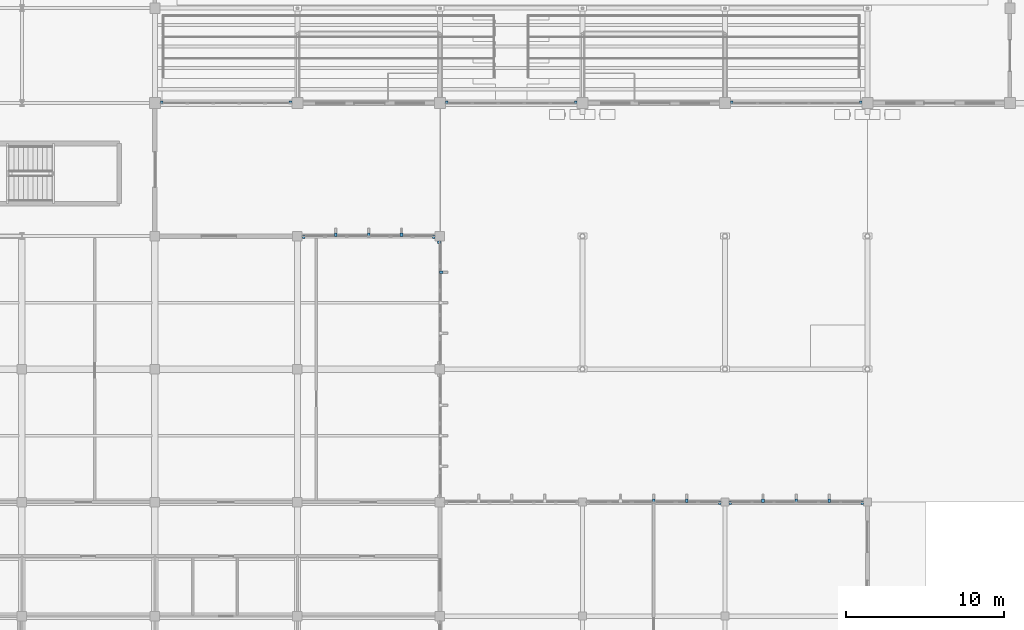
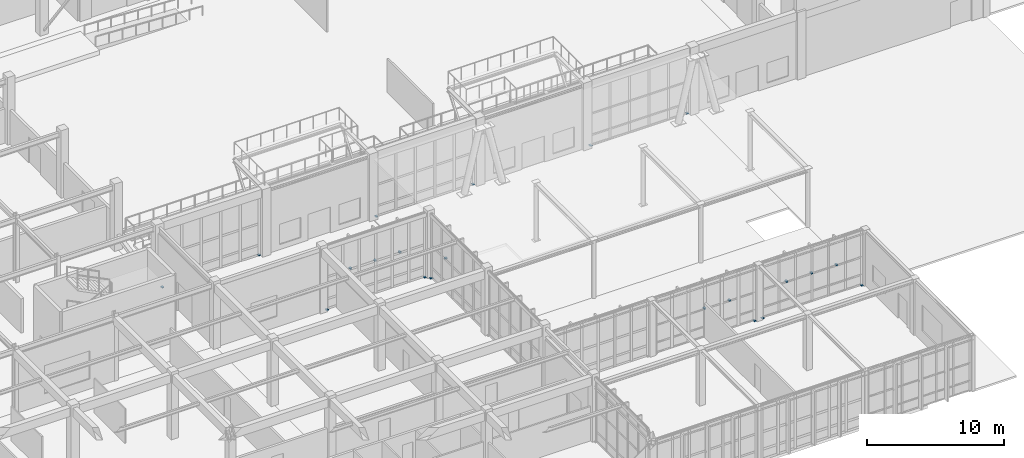
# One storey, part 89 of 110: 21 discrete accessories.
"""IFC4 building model written with IfcOpenShell, lengths in metres."""

import ifcopenshell
import ifcopenshell.guid

model = None  # the IFC model being written
_history = None  # IfcOwnerHistory: only IFC2X3 demands one
_inside = {}  # id of a spatial element -> (the spatial element, [elements in it])
_under = {}  # id of a project, library or spatial element -> (it, [spatial elements below it])
_declared = {}  # id of a project -> (the project, [libraries it declares])
_typed = {}  # id of a type object -> (the type object, [elements of that type])
_made_of = {}  # id of a material, layer set ... -> (it, [elements and type objects made of it])


def new_model(schema):
    """Start an empty IFC model of exactly this schema.

    Asked for "IFC4X3", IfcOpenShell would pick the latest addendum, in which some entities
    have other attributes; the version numbers below select the first issue.
    IFC2X3 requires an IfcOwnerHistory on every rooted entity: one is made here for all.
    """
    global model, _history
    if schema == "IFC4X3":
        model = ifcopenshell.file(schema_version=(4, 3, 0, 0))
    else:
        model = ifcopenshell.file(schema=schema)
    _inside.clear()
    _under.clear()
    _declared.clear()
    _typed.clear()
    _made_of.clear()
    _history = None
    if model.schema == "IFC2X3":
        org = make("IfcOrganization", Name="unknown")
        user = make(
            "IfcPersonAndOrganization",
            ThePerson=make("IfcPerson", FamilyName="unknown"),
            TheOrganization=org,
        )
        app = make(
            "IfcApplication",
            ApplicationDeveloper=org,
            Version="unknown",
            ApplicationFullName="unknown",
            ApplicationIdentifier="unknown",
        )
        _history = make(
            "IfcOwnerHistory",
            OwningUser=user,
            OwningApplication=app,
            ChangeAction="ADDED",
            CreationDate=0,
        )
    return model


def make(cls, **values):
    """One entity of the class cls with the attributes given. An attribute that is None is left unset."""
    return model.create_entity(
        cls, **{name: value for name, value in values.items() if value is not None}
    )


def rooted(cls, **values):
    """An entity with a GlobalId (a new one), such as an element, a storey or a relation."""
    return make(cls, GlobalId=ifcopenshell.guid.new(), OwnerHistory=_history, **values)


def si_unit(unit_type, name, prefix=None):
    """IfcSIUnit, for example si_unit("LENGTHUNIT", "METRE", prefix="MILLI")."""
    return make("IfcSIUnit", UnitType=unit_type, Prefix=prefix, Name=name)


def assignment(units):
    """IfcUnitAssignment: the units of a project."""
    return None if units is None else make("IfcUnitAssignment", Units=units)


def point(xyz):
    """IfcCartesianPoint."""
    return None if xyz is None else make("IfcCartesianPoint", Coordinates=xyz)


def direction(xyz):
    """IfcDirection."""
    return None if xyz is None else make("IfcDirection", DirectionRatios=xyz)


def frame(location, z_axis=None, x_axis=None):
    """IfcAxis2Placement3D, a coordinate frame: its origin and axes. An axis left out is left unset."""
    return make(
        "IfcAxis2Placement3D",
        Location=point(location),
        Axis=direction(z_axis),
        RefDirection=direction(x_axis),
    )


def frame_2d(location, x_axis=None):
    """IfcAxis2Placement2D, a coordinate frame in the plane: its origin and x axis."""
    return make(
        "IfcAxis2Placement2D", Location=point(location), RefDirection=direction(x_axis)
    )


def origin():
    """The frame at (0, 0, 0) with its axes left unset."""
    return frame((0.0, 0.0, 0.0))


def origin_2d():
    """The frame at (0, 0) in the plane with its x axis left unset."""
    return frame_2d((0.0, 0.0))


def place(relative_to, where):
    """IfcLocalPlacement: puts the frame where relative to a parent placement (None: the world)."""
    return make(
        "IfcLocalPlacement", PlacementRelTo=relative_to, RelativePlacement=where
    )


def context(
    kind, dimensions, precision=None, world=None, true_north=None, identifier=None
):
    """IfcGeometricRepresentationContext, for example the 3D "Model" context."""
    return make(
        "IfcGeometricRepresentationContext",
        ContextIdentifier=identifier,
        ContextType=kind,
        CoordinateSpaceDimension=dimensions,
        Precision=precision,
        WorldCoordinateSystem=world,
        TrueNorth=true_north,
    )


def subcontext(parent, identifier, kind, view, scale=None):
    """IfcGeometricRepresentationSubContext, for example "Body" below "Model"."""
    return make(
        "IfcGeometricRepresentationSubContext",
        ContextIdentifier=identifier,
        ContextType=kind,
        ParentContext=parent,
        TargetScale=scale,
        TargetView=view,
    )


def project(units=None, contexts=None):
    """IfcProject with its units and contexts."""
    return rooted(
        "IfcProject",
        Name="project",
        RepresentationContexts=contexts,
        UnitsInContext=assignment(units),
    )


def spatial(cls, under=None, at=None, **own):
    """A site, building, storey or space (cls), placed at a placement, below another one or the project."""
    s = rooted(cls, ObjectPlacement=at, **own)
    if under is not None:
        _under.setdefault(under.id(), (under, []))[1].append(s)
    return s


def profile(cls, at=None, kind="AREA", **sizes):
    """A parametric profile (cls). Its sizes go by their IFC names, for example OverallWidth=200.0."""
    return make(cls, ProfileType=kind, Position=at, **sizes)


def rectangle(**sizes):
    """IfcRectangleProfileDef."""
    return profile("IfcRectangleProfileDef", **sizes)


def extrude(swept, where, along, depth):
    """IfcExtrudedAreaSolid: the profile swept, set in the frame where, extruded along a direction by depth."""
    return make(
        "IfcExtrudedAreaSolid",
        SweptArea=swept,
        Position=where,
        ExtrudedDirection=direction(along),
        Depth=depth,
    )


def shape(context_of_items, identifier, shape_type, items):
    """IfcShapeRepresentation: the items that make up one representation, for example the "Body"."""
    return make(
        "IfcShapeRepresentation",
        ContextOfItems=context_of_items,
        RepresentationIdentifier=identifier,
        RepresentationType=shape_type,
        Items=items,
    )


def material(Name=None, Category=None):
    """IfcMaterial."""
    return make("IfcMaterial", Name=Name, Category=Category)


def made_of(thing, what):
    """Note that an element or type object is made of a material, layer set ...; save() writes the relation."""
    if what is not None:
        _made_of.setdefault(what.id(), (what, []))[1].append(thing)
    return thing


def type_object(cls, material=None, **own):
    """A type object (cls), such as IfcWallType, which elements share."""
    return made_of(rooted(cls, **own), material)


def element(
    cls,
    number,
    at=None,
    inside=None,
    cuts=None,
    type_object=None,
    material=None,
    context=None,
    identifier="Body",
    shape_type=None,
    held_by="IfcProductDefinitionShape",
    body=None,
    shapes=None,
    **own,
):
    """One element of the class cls, such as IfcWall. Its Tag is "e" and its number.

    at: its placement. inside: the storey or other place that contains it. cuts: it is an
    opening in that element (IfcRelVoidsElement). A single representation is given by context,
    identifier, shape_type and body (its items); several are given by shapes. held_by: the class
    of the entity that holds the representations. save() writes the other relations.
    """
    e = rooted(cls, Tag="e%d" % number, ObjectPlacement=at, **own)
    if body is not None:
        shapes = [shape(context, identifier, shape_type, body)]
    if shapes is not None:
        e.Representation = make(held_by, Representations=shapes)
    if inside is not None:
        _inside.setdefault(inside.id(), (inside, []))[1].append(e)
    if cuts is not None:
        rooted(
            "IfcRelVoidsElement", RelatingBuildingElement=cuts, RelatedOpeningElement=e
        )
    if type_object is not None:
        _typed.setdefault(type_object.id(), (type_object, []))[1].append(e)
    return made_of(e, material)


def aggregate(whole, parts):
    """IfcRelAggregates: a whole, such as a stair, and the parts it consists of."""
    return rooted("IfcRelAggregates", RelatingObject=whole, RelatedObjects=parts)


def save(model, path):
    """Write the relations noted so far, then the file.

    IfcRelAggregates (storeys below a building ...), IfcRelContainedInSpatialStructure (elements
    in a storey), IfcRelDefinesByType, IfcRelAssociatesMaterial and IfcRelDeclares: one each for
    every whole, place, type object, material and project.
    """
    for whole, parts in _under.values():
        aggregate(whole, parts)
    for where, things in _inside.values():
        rooted(
            "IfcRelContainedInSpatialStructure",
            RelatedElements=things,
            RelatingStructure=where,
        )
    for kind, things in _typed.values():
        rooted("IfcRelDefinesByType", RelatedObjects=things, RelatingType=kind)
    for what, things in _made_of.values():
        rooted("IfcRelAssociatesMaterial", RelatedObjects=things, RelatingMaterial=what)
    for by, libraries in _declared.values():
        rooted("IfcRelDeclares", RelatingContext=by, RelatedDefinitions=libraries)
    model.write(path)


model = new_model("IFC4")

# Units and contexts
model_context = context("Model", 3, precision=1e-05, world=origin(), true_north=direction((0.0, 1.0)))
body_context = subcontext(model_context, "Body", "Model", "MODEL_VIEW")
ifc_project = project(units=[si_unit("LENGTHUNIT", "METRE"), si_unit("AREAUNIT", "SQUARE_METRE"), si_unit("VOLUMEUNIT", "CUBIC_METRE"), si_unit("PLANEANGLEUNIT", "RADIAN"), si_unit("MASSUNIT", "GRAM", prefix="KILO")], contexts=[model_context])

# Site, building, storey
site_placement = place(None, origin())
site = spatial("IfcSite", under=ifc_project, at=site_placement, CompositionType="ELEMENT")
building_placement = place(site_placement, origin())
building = spatial("IfcBuilding", under=site, at=building_placement, Name="Tizgana Railside Sports Hall", CompositionType="ELEMENT")
storey_placement = place(building_placement, origin())
storey = spatial("IfcBuildingStorey", under=building, at=storey_placement, Name="L00", CompositionType="ELEMENT", Elevation=0.0)

# Discrete accessories
ifc_material = material(Name="Steel S355J2", Category="steel")
discrete_accessory_type = type_object("IfcDiscreteAccessoryType", Name="Stainless Facade Support Bracket", PredefinedType="BRACKET", material=ifc_material)
for number, where, z_axis, x_axis, name in (
    (1, (88.362548828125, 40.840087890625, -0.010009765625), (0.0, 0.0, 1.0), (-1.0, 0.0, 0.0), "L00 Curtain Wall Base Bracket"),
    (2, (80.237548828125, 40.840087890625, -0.010009765625), (0.0, 0.0, 1.0), (-1.0, 0.0, 0.0), "L00 Curtain Wall Base Bracket"),
    (3, (106.364990234375, 40.840087890625, -0.010009765625), (0.0, 0.0, 1.0), (-1.0, 0.0, 0.0), "L00 Curtain Wall Base Bracket"),
    (4, (98.235107421875, 40.840087890625, -0.010009765625), (0.0, 0.0, 1.0), (-1.0, 0.0, 0.0), "L00 Curtain Wall Base Bracket"),
    (5, (124.364990234375, 40.840087890625, -0.010009765625), (0.0, 0.0, 1.0), (-1.0, 0.0, 0.0), "L00 Curtain Wall Base Bracket"),
    (6, (116.235107421875, 40.840087890625, -0.010009765625), (0.0, 0.0, 1.0), (-1.0, 0.0, 0.0), "L00 Curtain Wall Base Bracket"),
    (7, (89.1875, 32.360107421875, -0.010009765625), (0.0, 0.0, 1.0), (1.0, 0.0, 0.0), "L00 Curtain Wall Base Bracket"),
    (8, (97.41259765625, 32.360107421875, -0.010009765625), (0.0, 0.0, 1.0), (1.0, 0.0, 0.0), "L00 Curtain Wall Base Bracket"),
):
    element("IfcDiscreteAccessory", number, at=place(storey_placement, frame(where, z_axis=z_axis, x_axis=x_axis)), inside=storey, type_object=discrete_accessory_type, Name=name, PredefinedType="BRACKET", context=body_context, shape_type="SweptSolid", body=[
        extrude(rectangle(XDim=0.159912109375, YDim=0.219970703125, at=origin_2d()), origin(), (0.0, 0.0, 1.0), 0.06494140625),
    ])
for number, where, z_axis, x_axis, name in (
    (9, (91.2275390625, 32.47998046875, 2.83740234375), (0.0, 0.0, 1.0), (1.0, 0.0, 0.0), "L00 Fin Bracket"),
    (10, (93.300048828125, 32.47998046875, 2.83740234375), (0.0, 0.0, 1.0), (1.0, 0.0, 0.0), "L00 Fin Bracket"),
    (11, (95.37255859375, 32.47998046875, 2.83740234375), (0.0, 0.0, 1.0), (1.0, 0.0, 0.0), "L00 Fin Bracket"),
):
    element("IfcDiscreteAccessory", number, at=place(storey_placement, frame(where, z_axis=z_axis, x_axis=x_axis)), inside=storey, type_object=discrete_accessory_type, Name=name, PredefinedType="BRACKET", context=body_context, shape_type="SweptSolid", body=[
        extrude(rectangle(XDim=0.159912109375, YDim=0.219970703125, at=origin_2d()), origin(), (0.0, 0.0, 1.0), 0.1201171875),
    ])
discrete_accessory_1_placement = place(storey_placement, frame((97.760009765625, 32.010009765625, -0.010009765625), z_axis=(0.0, 0.0, 1.0), x_axis=(0.0, -1.0, 0.0)))
element("IfcDiscreteAccessory", 12, at=discrete_accessory_1_placement, inside=storey, type_object=discrete_accessory_type, Name="L00 Curtain Wall Base Bracket", PredefinedType="BRACKET", context=body_context, shape_type="SweptSolid", body=[
    extrude(rectangle(XDim=0.159912109375, YDim=0.219970703125, at=origin_2d()), origin(), (0.0, 0.0, 1.0), 0.06494140625),
])
discrete_accessory_2_placement = place(storey_placement, frame((97.8798828125, 30.12255859375, 2.83740234375), z_axis=(0.0, 0.0, 1.0), x_axis=(0.0, -1.0, 0.0)))
element("IfcDiscreteAccessory", 13, at=discrete_accessory_2_placement, inside=storey, type_object=discrete_accessory_type, Name="L00 Fin Bracket", PredefinedType="BRACKET", context=body_context, shape_type="SweptSolid", body=[
    extrude(rectangle(XDim=0.159912109375, YDim=0.219970703125, at=origin_2d()), origin(), (0.0, 0.0, 1.0), 0.1201171875),
])
discrete_accessory_3_placement = place(storey_placement, frame((115.45751953125, 15.56005859375, -0.010009765625), z_axis=(0.0, 0.0, 1.0), x_axis=(1.0, 0.0, 0.0)))
element("IfcDiscreteAccessory", 14, at=discrete_accessory_3_placement, inside=storey, type_object=discrete_accessory_type, Name="L00 Curtain Wall Base Bracket", PredefinedType="BRACKET", context=body_context, shape_type="SweptSolid", body=[
    extrude(rectangle(XDim=0.159912109375, YDim=0.219970703125, at=origin_2d()), origin(), (0.0, 0.0, 1.0), 0.06494140625),
])
for number, where, z_axis, x_axis, name in (
    (15, (111.300048828125, 15.679931640625, 2.4423828125), (0.0, 0.0, 1.0), (1.0, 0.0, 0.0), "L00 Fin Bracket"),
    (16, (113.3974609375, 15.679931640625, 2.4423828125), (0.0, 0.0, 1.0), (1.0, 0.0, 0.0), "L00 Fin Bracket"),
):
    element("IfcDiscreteAccessory", number, at=place(storey_placement, frame(where, z_axis=z_axis, x_axis=x_axis)), inside=storey, type_object=discrete_accessory_type, Name=name, PredefinedType="BRACKET", context=body_context, shape_type="SweptSolid", body=[
        extrude(rectangle(XDim=0.159912109375, YDim=0.219970703125, at=origin_2d()), origin(), (0.0, 0.0, 1.0), 0.1201171875),
    ])
for number, where, z_axis, x_axis, name in (
    (17, (116.135009765625, 15.56005859375, -0.010009765625), (0.0, 0.0, 1.0), (1.0, 0.0, 0.0), "L00 Curtain Wall Base Bracket"),
    (18, (124.465087890625, 15.56005859375, -0.010009765625), (0.0, 0.0, 1.0), (1.0, 0.0, 0.0), "L00 Curtain Wall Base Bracket"),
):
    element("IfcDiscreteAccessory", number, at=place(storey_placement, frame(where, z_axis=z_axis, x_axis=x_axis)), inside=storey, type_object=discrete_accessory_type, Name=name, PredefinedType="BRACKET", context=body_context, shape_type="SweptSolid", body=[
        extrude(rectangle(XDim=0.159912109375, YDim=0.219970703125, at=origin_2d()), origin(), (0.0, 0.0, 1.0), 0.06494140625),
    ])
for number, where, z_axis, x_axis, name in (
    (19, (118.202392578125, 15.679931640625, 2.4423828125), (0.0, 0.0, 1.0), (1.0, 0.0, 0.0), "L00 Fin Bracket"),
    (20, (120.300048828125, 15.679931640625, 2.4423828125), (0.0, 0.0, 1.0), (1.0, 0.0, 0.0), "L00 Fin Bracket"),
    (21, (122.3974609375, 15.679931640625, 2.4423828125), (0.0, 0.0, 1.0), (1.0, 0.0, 0.0), "L00 Fin Bracket"),
):
    element("IfcDiscreteAccessory", number, at=place(storey_placement, frame(where, z_axis=z_axis, x_axis=x_axis)), inside=storey, type_object=discrete_accessory_type, Name=name, PredefinedType="BRACKET", context=body_context, shape_type="SweptSolid", body=[
        extrude(rectangle(XDim=0.159912109375, YDim=0.219970703125, at=origin_2d()), origin(), (0.0, 0.0, 1.0), 0.1201171875),
    ])

save(model, "model.ifc")
